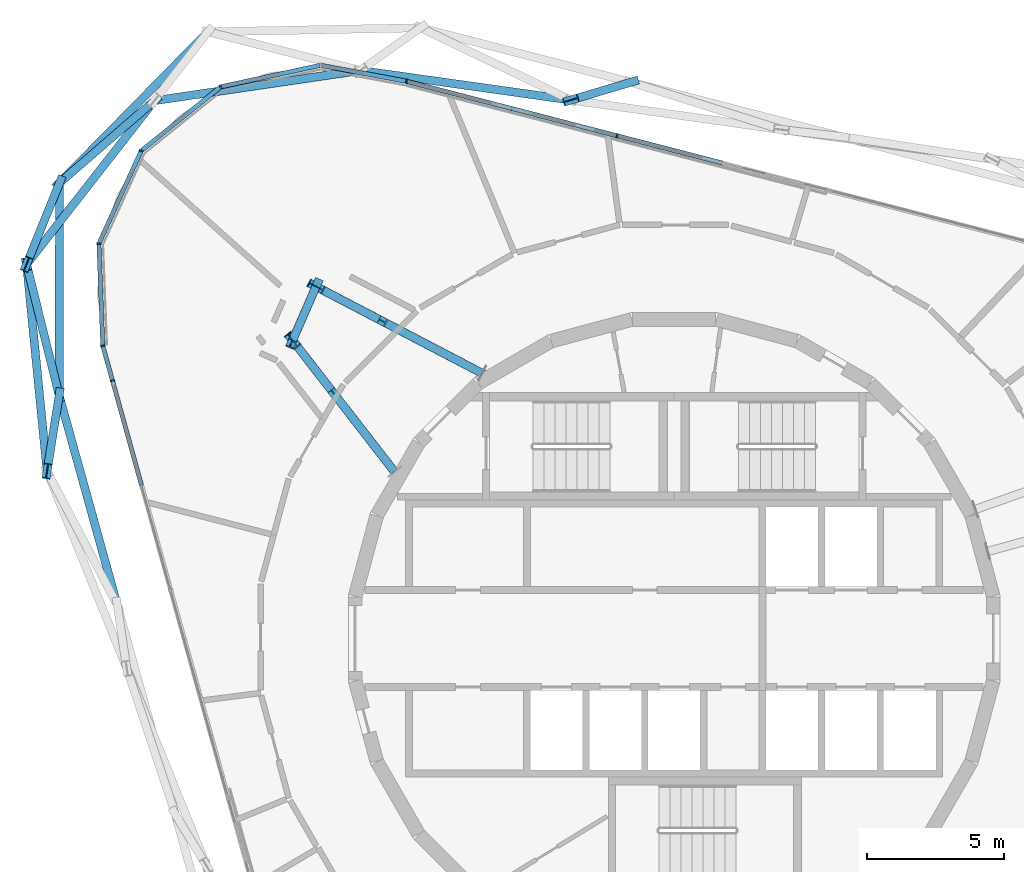
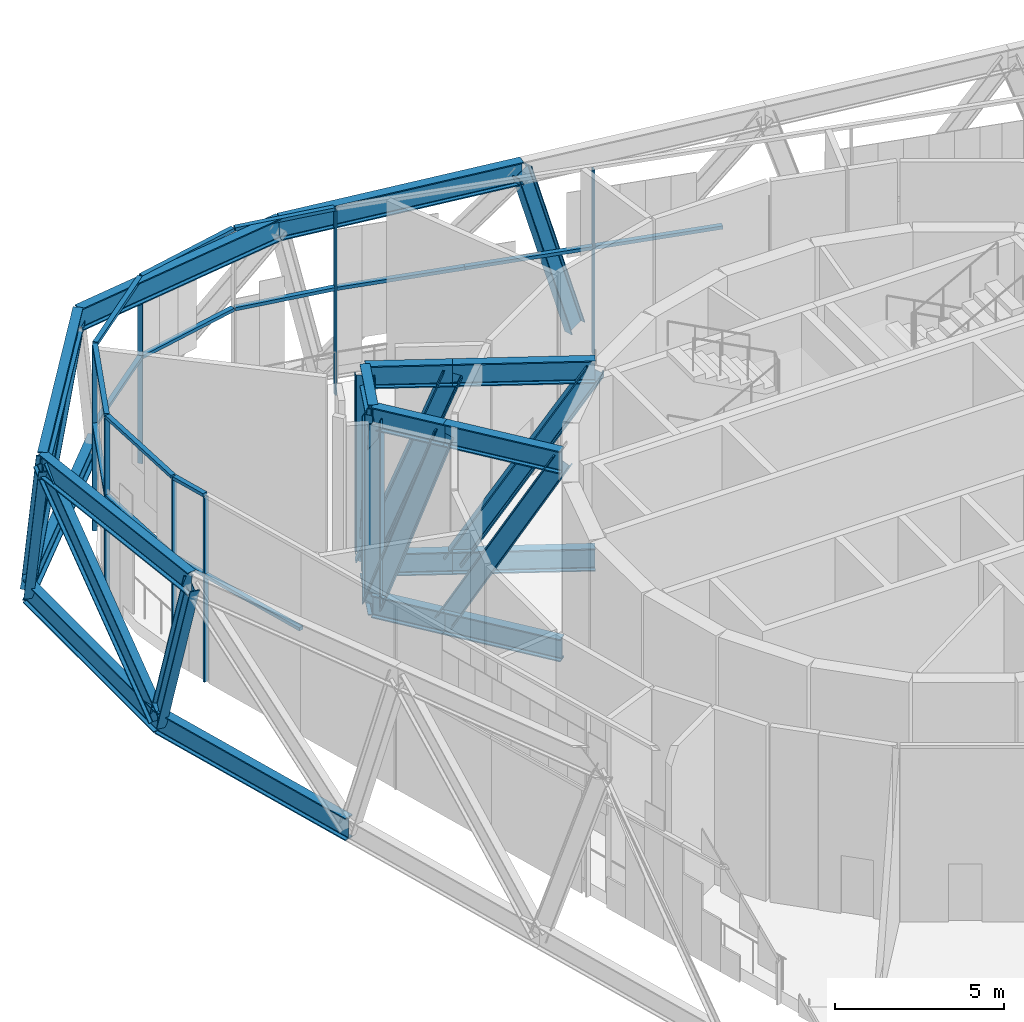
# One storey, part 5 of 23: 52 members, 3 elements without a shape of their own.
"""IFC4 building model written with IfcOpenShell, lengths in metres."""

from ifc_helpers import new_model, si_unit, direction, frame, origin, origin_2d, place, context, subcontext, project, spatial, rectangle, i_section, extrude, material, layer, layer_set, material_profile, profile_set, type_object, element, aggregate, save


model = new_model("IFC4")

# Units and contexts
model_context = context("Model", 3, precision=1e-05, world=origin(), true_north=direction((0.0, 1.0)))
body_context = subcontext(model_context, "Body", "Model", "MODEL_VIEW")
ifc_project = project(units=[si_unit("LENGTHUNIT", "METRE"), si_unit("AREAUNIT", "SQUARE_METRE"), si_unit("VOLUMEUNIT", "CUBIC_METRE"), si_unit("PLANEANGLEUNIT", "RADIAN"), si_unit("MASSUNIT", "GRAM", prefix="KILO")], contexts=[model_context])

# Site, building, storey
site_placement = place(None, origin())
site = spatial("IfcSite", under=ifc_project, at=site_placement, CompositionType="ELEMENT")
building_placement = place(site_placement, origin())
building = spatial("IfcBuilding", under=site, at=building_placement, Name="Spindle Arch Residences", CompositionType="ELEMENT")
storey_placement = place(building_placement, frame((0.0, 0.0, 326.199951171875)))
storey = spatial("IfcBuildingStorey", under=building, at=storey_placement, Name="L84", CompositionType="ELEMENT", Elevation=326.199951171875)

# Members
ifc_material_1 = material(Name="Steel S460ML, intumescent coating R 240", Category="steel")
ifc_material_profile_1 = material_profile(ifc_material_1, i_section(OverallWidth=0.302978515625, OverallDepth=0.81396484375, WebThickness=0.02099609375, FlangeThickness=0.0400390625, FilletRadius=0.030029296875, at=origin_2d()), Name="HEM 800")
ifc_profile_set_1 = profile_set([ifc_material_profile_1], Name="Steel S460ML, intumescent coating R 240")
member_type_1 = type_object("IfcMemberType", Name="Belt truss chord HEM 800", PredefinedType="CHORD", material=ifc_profile_set_1)
member_1_placement = place(storey_placement, frame((-17.0185546875, 22.144775390625, -0.85693359375), z_axis=(-0.700907435334, -0.71325224647, 0.0), x_axis=(0.71325224647, -0.700907435334, 0.0)))
element("IfcMember", 1, at=member_1_placement, inside=storey, type_object=member_type_1, Name="Belt truss bottom chord L84.10", PredefinedType="CHORD", context=body_context, shape_type="SweptSolid", body=[
    extrude(i_section(OverallWidth=0.302978515625, OverallDepth=0.81396484375, WebThickness=0.02099609375, FlangeThickness=0.0400390625, FilletRadius=0.030029296875, at=origin_2d()), origin(), (0.0, 0.0, 1.0), 7.732666015625),
])
member_2_placement = place(storey_placement, frame((-22.4384765625, 16.62939453125, -0.85693359375), z_axis=(-0.001699125957, -0.999998556484, 0.0), x_axis=(0.999998556484, -0.001699125957, 0.0)))
element("IfcMember", 2, at=member_2_placement, inside=storey, type_object=member_type_1, Name="Belt truss bottom chord L84.11", PredefinedType="CHORD", context=body_context, shape_type="SweptSolid", body=[
    extrude(i_section(OverallWidth=0.302978515625, OverallDepth=0.81396484375, WebThickness=0.02099609375, FlangeThickness=0.0400390625, FilletRadius=0.030029296875, at=origin_2d()), origin(), (0.0, 0.0, 1.0), 7.759033203125),
])
member_3_placement = place(storey_placement, frame((-22.45166015625, 8.870361328125, -0.85693359375), z_axis=(0.26724395521, -0.963628905961, 0.0), x_axis=(0.963628905961, 0.26724395521, 0.0)))
element("IfcMember", 3, at=member_3_placement, inside=storey, type_object=member_type_1, Name="Belt truss bottom chord L84.12", PredefinedType="CHORD", context=body_context, shape_type="SweptSolid", body=[
    extrude(i_section(OverallWidth=0.302978515625, OverallDepth=0.81396484375, WebThickness=0.02099609375, FlangeThickness=0.0400390625, FilletRadius=0.030029296875, at=origin_2d()), origin(), (0.0, 0.0, 1.0), 7.93505859375),
])
member_4_placement = place(storey_placement, frame((-3.772705078125, 19.65478515625, 5.943115234375), z_axis=(-0.990267008072, 0.13918064781, 0.0), x_axis=(-0.13918064781, -0.990267008072, 0.0)))
element("IfcMember", 4, at=member_4_placement, inside=storey, type_object=member_type_1, Name="Belt truss top chord L84.8", PredefinedType="CHORD", context=body_context, shape_type="SweptSolid", body=[
    extrude(i_section(OverallWidth=0.302978515625, OverallDepth=0.81396484375, WebThickness=0.02099609375, FlangeThickness=0.0400390625, FilletRadius=0.030029296875, at=origin_2d()), origin(), (0.0, 0.0, 1.0), 7.765625),
])
member_5_placement = place(storey_placement, frame((-11.462646484375, 20.735595703125, 5.943115234375), z_axis=(-0.98938430236, -0.14532275198, 0.0), x_axis=(0.14532275198, -0.98938430236, 0.0)))
element("IfcMember", 5, at=member_5_placement, inside=storey, type_object=member_type_1, Name="Belt truss top chord L84.9", PredefinedType="CHORD", context=body_context, shape_type="SweptSolid", body=[
    extrude(i_section(OverallWidth=0.302978515625, OverallDepth=0.81396484375, WebThickness=0.02099609375, FlangeThickness=0.0400390625, FilletRadius=0.030029296875, at=origin_2d()), origin(), (0.0, 0.0, 1.0), 7.593505859375),
])
member_6_placement = place(storey_placement, frame((-18.9755859375, 19.632080078125, 5.943115234375), z_axis=(-0.615661552584, -0.788010693246, 0.0), x_axis=(0.788010693246, -0.615661552584, 0.0)))
element("IfcMember", 6, at=member_6_placement, inside=storey, type_object=member_type_1, Name="Belt truss top chord L84.10", PredefinedType="CHORD", context=body_context, shape_type="SweptSolid", body=[
    extrude(i_section(OverallWidth=0.302978515625, OverallDepth=0.81396484375, WebThickness=0.02099609375, FlangeThickness=0.0400390625, FilletRadius=0.030029296875, at=origin_2d()), origin(), (0.0, 0.0, 1.0), 7.57568359375),
])
member_7_placement = place(storey_placement, frame((-23.6396484375, 13.662353515625, 5.943115234375), z_axis=(0.098383133603, -0.995148611526, 0.0), x_axis=(0.995148611526, 0.098383133603, 0.0)))
element("IfcMember", 7, at=member_7_placement, inside=storey, type_object=member_type_1, Name="Belt truss top chord L84.11", PredefinedType="CHORD", context=body_context, shape_type="SweptSolid", body=[
    extrude(i_section(OverallWidth=0.302978515625, OverallDepth=0.81396484375, WebThickness=0.02099609375, FlangeThickness=0.0400390625, FilletRadius=0.030029296875, at=origin_2d()), origin(), (0.0, 0.0, 1.0), 7.593505859375),
])
ifc_material_2 = material(Name="Steel S460ML, intumescent coating R 240", Category="steel")
ifc_material_profile_2 = material_profile(ifc_material_2, i_section(OverallWidth=0.300048828125, OverallDepth=0.60009765625, WebThickness=0.015380859375, FlangeThickness=0.030029296875, FilletRadius=0.027099609375, at=origin_2d()), Name="HEB 600")
ifc_profile_set_2 = profile_set([ifc_material_profile_2], Name="Steel S460ML, intumescent coating R 240")
member_type_2 = type_object("IfcMemberType", Name="Belt truss diagonal HEB 600", PredefinedType="BRACE", material=ifc_profile_set_2)
member_8_placement = place(storey_placement, frame((-1.57861328125, 20.306640625, -0.85693359375), z_axis=(-0.305799755689, -0.090851824601, 0.947751262403), x_axis=(0.284792800124, -0.958589099144, 0.0)))
element("IfcMember", 8, at=member_8_placement, inside=storey, type_object=member_type_2, Name="Belt truss diagonal L84.8.8", PredefinedType="BRACE", context=body_context, shape_type="SweptSolid", body=[
    extrude(i_section(OverallWidth=0.300048828125, OverallDepth=0.60009765625, WebThickness=0.015380859375, FlangeThickness=0.030029296875, FilletRadius=0.027099609375, at=origin_2d()), origin(), (0.0, 0.0, 1.0), 7.175048828125),
])
member_9_placement = place(storey_placement, frame((-22.4384765625, 16.62939453125, -0.85693359375), z_axis=(0.422277371382, 0.366158304471, 0.829222477798), x_axis=(-0.655119112275, 0.755525610904, 0.0)))
element("IfcMember", 9, at=member_9_placement, inside=storey, type_object=member_type_2, Name="Belt truss diagonal L84.10.11", PredefinedType="BRACE", context=body_context, shape_type="SweptSolid", body=[
    extrude(i_section(OverallWidth=0.300048828125, OverallDepth=0.60009765625, WebThickness=0.015380859375, FlangeThickness=0.030029296875, FilletRadius=0.027099609375, at=origin_2d()), origin(), (0.0, 0.0, 1.0), 8.200439453125),
])
member_10_placement = place(storey_placement, frame((-22.4384765625, 16.62939453125, -0.85693359375), z_axis=(-0.159820184932, -0.394775347049, 0.904770652625), x_axis=(0.926922180095, -0.375253610307, 0.0)))
element("IfcMember", 10, at=member_10_placement, inside=storey, type_object=member_type_2, Name="Belt truss diagonal L84.11.11", PredefinedType="BRACE", context=body_context, shape_type="SweptSolid", body=[
    extrude(i_section(OverallWidth=0.300048828125, OverallDepth=0.60009765625, WebThickness=0.015380859375, FlangeThickness=0.030029296875, FilletRadius=0.027099609375, at=origin_2d()), origin(), (0.0, 0.0, 1.0), 7.515869140625),
])
member_11_placement = place(storey_placement, frame((-22.45166015625, 8.870361328125, -0.85693359375), z_axis=(-0.141371919307, 0.570252369945, 0.80921333096), x_axis=(-0.970617676957, -0.240626941923, 0.0)))
element("IfcMember", 11, at=member_11_placement, inside=storey, type_object=member_type_2, Name="Belt truss diagonal L84.11.12", PredefinedType="BRACE", context=body_context, shape_type="SweptSolid", body=[
    extrude(i_section(OverallWidth=0.300048828125, OverallDepth=0.60009765625, WebThickness=0.015380859375, FlangeThickness=0.030029296875, FilletRadius=0.027099609375, at=origin_2d()), origin(), (0.0, 0.0, 1.0), 8.4033203125),
])
member_12_placement = place(storey_placement, frame((-22.45166015625, 8.870361328125, -0.85693359375), z_axis=(-0.05995785217, -0.375948348822, 0.924698813118), x_axis=(0.987519958327, -0.157493910697, 0.0)))
element("IfcMember", 12, at=member_12_placement, inside=storey, type_object=member_type_2, Name="Belt truss diagonal L84.12.12", PredefinedType="BRACE", context=body_context, shape_type="SweptSolid", body=[
    extrude(i_section(OverallWidth=0.300048828125, OverallDepth=0.60009765625, WebThickness=0.015380859375, FlangeThickness=0.030029296875, FilletRadius=0.027099609375, at=origin_2d()), origin(), (0.0, 0.0, 1.0), 7.353759765625),
])

# Curtain wall, member
ifc_material_3 = material(Name="Aluminium bronze unitised frame with tinted glass", Category="aluminium")
ifc_layer = layer(ifc_material_3, 0.159912109375)
ifc_layer_set = layer_set([ifc_layer], Name="CW-E double-height winter garden wall")
curtain_wall_type = type_object("IfcCurtainWallType", Name="CW-E double-height winter garden wall", PredefinedType="NOTDEFINED", material=ifc_layer_set)
curtain_wall_1_placement = place(storey_placement, origin())
curtain_wall_1 = element("IfcCurtainWall", 13, at=curtain_wall_1_placement, inside=storey, type_object=curtain_wall_type, Name="CW-E L84 run 2", PredefinedType="NOTDEFINED")
ifc_material_4 = material(Name="Aluminium bronze anodised mullion", Category="aluminium")
ifc_material_profile_3 = material_profile(ifc_material_4, rectangle(XDim=0.159912109375, YDim=0.06005859375, at=origin_2d()), Name="MU 60x160")
ifc_profile_set_3 = profile_set([ifc_material_profile_3], Name="Aluminium bronze anodised mullion")
member_type_3 = type_object("IfcMemberType", Name="Bronze mullion 60x160", PredefinedType="MULLION", material=ifc_profile_set_3)
member_13_placement = place(storey_placement, frame((-2.084228515625, 18.35107421875, -0.449951171875), z_axis=(0.0, 0.0, 1.0), x_axis=(-0.250380004054, -0.968147640378, 0.0)))
member_13 = element("IfcMember", 14, at=member_13_placement, type_object=member_type_3, Name="CW-E mullion 07", PredefinedType="MULLION", context=body_context, shape_type="SweptSolid", body=[
    extrude(rectangle(XDim=0.159912109375, YDim=0.06005859375, at=origin_2d()), origin(), (0.0, 0.0, 1.0), 6.679931640625),
])

# Curtain wall, members
curtain_wall_2_placement = place(storey_placement, origin())
curtain_wall_2 = element("IfcCurtainWall", 15, at=curtain_wall_2_placement, inside=storey, type_object=curtain_wall_type, Name="CW-E L84 run 3", PredefinedType="NOTDEFINED")
member_14_placement = place(storey_placement, frame((-9.7666015625, 20.337890625, -0.449951171875), z_axis=(0.0, 0.0, 1.0), x_axis=(-0.183837217301, -0.98295670176, 0.0)))
member_14 = element("IfcMember", 16, at=member_14_placement, type_object=member_type_3, Name="CW-E mullion 00", PredefinedType="MULLION", context=body_context, shape_type="SweptSolid", body=[
    extrude(rectangle(XDim=0.159912109375, YDim=0.06005859375, at=origin_2d()), origin(), (0.0, 0.0, 1.0), 6.679931640625),
])
member_15_placement = place(storey_placement, frame((-16.5517578125, 20.14013671875, -0.449951171875), z_axis=(0.0, 0.0, 1.0), x_axis=(0.627057107401, -0.778973288411, 0.0)))
member_15 = element("IfcMember", 17, at=member_15_placement, type_object=member_type_3, Name="CW-E mullion 02", PredefinedType="MULLION", context=body_context, shape_type="SweptSolid", body=[
    extrude(rectangle(XDim=0.159912109375, YDim=0.06005859375, at=origin_2d()), origin(), (0.0, 0.0, 1.0), 6.679931640625),
])
member_16_placement = place(storey_placement, frame((-19.454833984375, 17.80322265625, -0.449951171875), z_axis=(0.0, 0.0, 1.0), x_axis=(0.9099612694, -0.414693245896, 0.0)))
member_16 = element("IfcMember", 18, at=member_16_placement, type_object=member_type_3, Name="CW-E mullion 03", PredefinedType="MULLION", context=body_context, shape_type="SweptSolid", body=[
    extrude(rectangle(XDim=0.159912109375, YDim=0.06005859375, at=origin_2d()), origin(), (0.0, 0.0, 1.0), 6.679931640625),
])
member_17_placement = place(storey_placement, frame((-21.00048828125, 14.411865234375, -0.449951171875), z_axis=(0.0, 0.0, 1.0), x_axis=(0.999285080405, 0.037806455536, 0.0)))
member_17 = element("IfcMember", 19, at=member_17_placement, type_object=member_type_3, Name="CW-E mullion 04", PredefinedType="MULLION", context=body_context, shape_type="SweptSolid", body=[
    extrude(rectangle(XDim=0.159912109375, YDim=0.06005859375, at=origin_2d()), origin(), (0.0, 0.0, 1.0), 6.679931640625),
])
member_18_placement = place(storey_placement, frame((-20.859375, 10.687744140625, -0.449951171875), z_axis=(0.0, 0.0, 1.0), x_axis=(0.963630453209, 0.267238376078, 0.0)))
member_18 = element("IfcMember", 20, at=member_18_placement, type_object=member_type_3, Name="CW-E mullion 05", PredefinedType="MULLION", context=body_context, shape_type="SweptSolid", body=[
    extrude(rectangle(XDim=0.159912109375, YDim=0.06005859375, at=origin_2d()), origin(), (0.0, 0.0, 1.0), 6.679931640625),
])

# Curtain wall, member
curtain_wall_3_placement = place(storey_placement, origin())
curtain_wall_3 = element("IfcCurtainWall", 21, at=curtain_wall_3_placement, inside=storey, type_object=curtain_wall_type, Name="CW-E L84 run 4", PredefinedType="NOTDEFINED")
member_19_placement = place(storey_placement, frame((-20.505126953125, 9.41015625, -0.449951171875), z_axis=(0.0, 0.0, 1.0), x_axis=(0.963630453209, 0.267238376078, 0.0)))
member_19 = element("IfcMember", 22, at=member_19_placement, type_object=member_type_3, Name="CW-E mullion 11", PredefinedType="MULLION", context=body_context, shape_type="SweptSolid", body=[
    extrude(rectangle(XDim=0.159912109375, YDim=0.06005859375, at=origin_2d()), origin(), (0.0, 0.0, 1.0), 6.679931640625),
])

# Member
ifc_material_5 = material(Name="Aluminium bronze anodised transom", Category="aluminium")
ifc_material_profile_4 = material_profile(ifc_material_5, rectangle(XDim=0.159912109375, YDim=0.1201171875, at=origin_2d()), Name="TR 120x160")
ifc_profile_set_4 = profile_set([ifc_material_profile_4], Name="Aluminium bronze anodised transom")
member_type_4 = type_object("IfcMemberType", Name="Bronze transom 120x160", PredefinedType="USERDEFINED", material=ifc_profile_set_4)
member_20_placement = place(storey_placement, frame((1.7568359375, 17.357666015625, 3.400146484375), z_axis=(-0.968148466473, 0.250376809762, 0.0), x_axis=(-0.250376809762, -0.968148466473, 0.0)))
member_20 = element("IfcMember", 23, at=member_20_placement, type_object=member_type_4, Name="CW-E transom 06Bm", ObjectType="TRANSOM", PredefinedType="USERDEFINED", context=body_context, shape_type="SweptSolid", body=[
    extrude(rectangle(XDim=0.159912109375, YDim=0.1201171875, at=origin_2d()), origin(), (0.0, 0.0, 1.0), 3.9375),
])

member_21_placement = place(storey_placement, frame((-2.11328125, 18.3583984375, 3.400146484375), z_axis=(-0.968133434793, 0.250434926549, 0.0), x_axis=(-0.250434926549, -0.968133434793, 0.0)))
member_21 = element("IfcMember", 24, at=member_21_placement, type_object=member_type_4, Name="CW-E transom 07Am", ObjectType="TRANSOM", PredefinedType="USERDEFINED", context=body_context, shape_type="SweptSolid", body=[
    extrude(rectangle(XDim=0.159912109375, YDim=0.1201171875, at=origin_2d()), origin(), (0.0, 0.0, 1.0), 3.9375),
])

member_22_placement = place(storey_placement, frame((-5.92529296875, 19.344482421875, 3.400146484375), z_axis=(-0.968152353136, 0.250361780465, 0.0), x_axis=(-0.250361780465, -0.968152353136, 0.0)))
member_22 = element("IfcMember", 25, at=member_22_placement, type_object=member_type_4, Name="CW-E transom 07Bm", ObjectType="TRANSOM", PredefinedType="USERDEFINED", context=body_context, shape_type="SweptSolid", body=[
    extrude(rectangle(XDim=0.159912109375, YDim=0.1201171875, at=origin_2d()), origin(), (0.0, 0.0, 1.0), 3.937744140625),
])

aggregate(curtain_wall_1, [member_20, member_13, member_21, member_22])

member_23_placement = place(storey_placement, frame((-9.796142578125, 20.34326171875, 6.2900390625), z_axis=(-0.982955792974, 0.183842076412, 0.0), x_axis=(-0.183842076412, -0.982955792974, 0.0)))
member_23 = element("IfcMember", 26, at=member_23_placement, type_object=member_type_4, Name="CW-E transom 00", ObjectType="TRANSOM", PredefinedType="USERDEFINED", context=body_context, shape_type="SweptSolid", body=[
    extrude(rectangle(XDim=0.159912109375, YDim=0.1201171875, at=origin_2d()), origin(), (0.0, 0.0, 1.0), 3.13671875),
])

member_24_placement = place(storey_placement, frame((-9.796142578125, 20.34326171875, 3.400146484375), z_axis=(-0.982955792974, 0.183842076412, 0.0), x_axis=(-0.183842076412, -0.982955792974, 0.0)))
member_24 = element("IfcMember", 27, at=member_24_placement, type_object=member_type_4, Name="CW-E transom 00m", ObjectType="TRANSOM", PredefinedType="USERDEFINED", context=body_context, shape_type="SweptSolid", body=[
    extrude(rectangle(XDim=0.159912109375, YDim=0.1201171875, at=origin_2d()), origin(), (0.0, 0.0, 1.0), 3.13671875),
])

member_25_placement = place(storey_placement, frame((-12.938232421875, 20.919189453125, 6.2900390625), z_axis=(-0.977527770532, -0.210806683571, 0.0), x_axis=(0.210806683571, -0.977527770532, 0.0)))
member_25 = element("IfcMember", 28, at=member_25_placement, type_object=member_type_4, Name="CW-E transom 01", ObjectType="TRANSOM", PredefinedType="USERDEFINED", context=body_context, shape_type="SweptSolid", body=[
    extrude(rectangle(XDim=0.159912109375, YDim=0.1201171875, at=origin_2d()), origin(), (0.0, 0.0, 1.0), 3.66650390625),
])

member_26_placement = place(storey_placement, frame((-12.938232421875, 20.919189453125, 3.400146484375), z_axis=(-0.977527770532, -0.210806683571, 0.0), x_axis=(0.210806683571, -0.977527770532, 0.0)))
member_26 = element("IfcMember", 29, at=member_26_placement, type_object=member_type_4, Name="CW-E transom 01m", ObjectType="TRANSOM", PredefinedType="USERDEFINED", context=body_context, shape_type="SweptSolid", body=[
    extrude(rectangle(XDim=0.159912109375, YDim=0.1201171875, at=origin_2d()), origin(), (0.0, 0.0, 1.0), 3.66650390625),
])

member_27_placement = place(storey_placement, frame((-16.5751953125, 20.121337890625, 6.2900390625), z_axis=(-0.778981543265, -0.627046852518, 0.0), x_axis=(0.627046852518, -0.778981543265, 0.0)))
member_27 = element("IfcMember", 30, at=member_27_placement, type_object=member_type_4, Name="CW-E transom 02", ObjectType="TRANSOM", PredefinedType="USERDEFINED", context=body_context, shape_type="SweptSolid", body=[
    extrude(rectangle(XDim=0.159912109375, YDim=0.1201171875, at=origin_2d()), origin(), (0.0, 0.0, 1.0), 3.6669921875),
])

member_28_placement = place(storey_placement, frame((-16.5751953125, 20.121337890625, 3.400146484375), z_axis=(-0.778981543265, -0.627046852518, 0.0), x_axis=(0.627046852518, -0.778981543265, 0.0)))
member_28 = element("IfcMember", 31, at=member_28_placement, type_object=member_type_4, Name="CW-E transom 02m", ObjectType="TRANSOM", PredefinedType="USERDEFINED", context=body_context, shape_type="SweptSolid", body=[
    extrude(rectangle(XDim=0.159912109375, YDim=0.1201171875, at=origin_2d()), origin(), (0.0, 0.0, 1.0), 3.6669921875),
])

member_29_placement = place(storey_placement, frame((-19.46728515625, 17.77587890625, 6.2900390625), z_axis=(-0.414725728642, -0.90994646546, 0.0), x_axis=(0.90994646546, -0.414725728642, 0.0)))
member_29 = element("IfcMember", 32, at=member_29_placement, type_object=member_type_4, Name="CW-E transom 03", ObjectType="TRANSOM", PredefinedType="USERDEFINED", context=body_context, shape_type="SweptSolid", body=[
    extrude(rectangle(XDim=0.159912109375, YDim=0.1201171875, at=origin_2d()), origin(), (0.0, 0.0, 1.0), 3.6669921875),
])

member_30_placement = place(storey_placement, frame((-19.46728515625, 17.77587890625, 3.400146484375), z_axis=(-0.414725728642, -0.90994646546, 0.0), x_axis=(0.90994646546, -0.414725728642, 0.0)))
member_30 = element("IfcMember", 33, at=member_30_placement, type_object=member_type_4, Name="CW-E transom 03m", ObjectType="TRANSOM", PredefinedType="USERDEFINED", context=body_context, shape_type="SweptSolid", body=[
    extrude(rectangle(XDim=0.159912109375, YDim=0.1201171875, at=origin_2d()), origin(), (0.0, 0.0, 1.0), 3.6669921875),
])

member_31_placement = place(storey_placement, frame((-20.999267578125, 14.382080078125, 6.2900390625), z_axis=(0.03781688996, -0.99928468558, 0.0), x_axis=(0.99928468558, 0.03781688996, 0.0)))
member_31 = element("IfcMember", 34, at=member_31_placement, type_object=member_type_4, Name="CW-E transom 04", ObjectType="TRANSOM", PredefinedType="USERDEFINED", context=body_context, shape_type="SweptSolid", body=[
    extrude(rectangle(XDim=0.159912109375, YDim=0.1201171875, at=origin_2d()), origin(), (0.0, 0.0, 1.0), 3.6669921875),
])

member_32_placement = place(storey_placement, frame((-20.999267578125, 14.382080078125, 3.400146484375), z_axis=(0.03781688996, -0.99928468558, 0.0), x_axis=(0.99928468558, 0.03781688996, 0.0)))
member_32 = element("IfcMember", 35, at=member_32_placement, type_object=member_type_4, Name="CW-E transom 04m", ObjectType="TRANSOM", PredefinedType="USERDEFINED", context=body_context, shape_type="SweptSolid", body=[
    extrude(rectangle(XDim=0.159912109375, YDim=0.1201171875, at=origin_2d()), origin(), (0.0, 0.0, 1.0), 3.6669921875),
])

member_33_placement = place(storey_placement, frame((-20.8515625, 10.658935546875, 6.2900390625), z_axis=(0.267275846412, -0.963620060981, 0.0), x_axis=(0.963620060981, 0.267275846412, 0.0)))
member_33 = element("IfcMember", 36, at=member_33_placement, type_object=member_type_4, Name="CW-E transom 05", ObjectType="TRANSOM", PredefinedType="USERDEFINED", context=body_context, shape_type="SweptSolid", body=[
    extrude(rectangle(XDim=0.159912109375, YDim=0.1201171875, at=origin_2d()), origin(), (0.0, 0.0, 1.0), 1.26611328125),
])

member_34_placement = place(storey_placement, frame((-20.8515625, 10.658935546875, 3.400146484375), z_axis=(0.267275846412, -0.963620060981, 0.0), x_axis=(0.963620060981, 0.267275846412, 0.0)))
member_34 = element("IfcMember", 37, at=member_34_placement, type_object=member_type_4, Name="CW-E transom 05m", ObjectType="TRANSOM", PredefinedType="USERDEFINED", context=body_context, shape_type="SweptSolid", body=[
    extrude(rectangle(XDim=0.159912109375, YDim=0.1201171875, at=origin_2d()), origin(), (0.0, 0.0, 1.0), 1.26611328125),
])

aggregate(curtain_wall_2, [member_14, member_23, member_24, member_25, member_26, member_15, member_27, member_28, member_16, member_29, member_30, member_17, member_31, member_32, member_18, member_33, member_34])

member_35_placement = place(storey_placement, frame((-20.4970703125, 9.38134765625, 3.400146484375), z_axis=(0.26722812423, -0.963633296239, 0.0), x_axis=(0.963633296239, 0.26722812423, 0.0)))
member_35 = element("IfcMember", 38, at=member_35_placement, type_object=member_type_4, Name="CW-E transom 11Am", ObjectType="TRANSOM", PredefinedType="USERDEFINED", context=body_context, shape_type="SweptSolid", body=[
    extrude(rectangle(XDim=0.159912109375, YDim=0.1201171875, at=origin_2d()), origin(), (0.0, 0.0, 1.0), 3.937744140625),
])

aggregate(curtain_wall_3, [member_19, member_35])

# Members
ifc_material_6 = material(Name="Steel S460ML, intumescent coating R 240", Category="steel")
ifc_material_profile_5 = material_profile(ifc_material_6, i_section(OverallWidth=0.302978515625, OverallDepth=0.81396484375, WebThickness=0.02099609375, FlangeThickness=0.0400390625, FilletRadius=0.030029296875, at=origin_2d()), Name="HEM 800")
ifc_profile_set_5 = profile_set([ifc_material_profile_5], Name="Steel S460ML, intumescent coating R 240")
member_type_5 = type_object("IfcMemberType", Name="Transfer truss chord HEM 800", PredefinedType="CHORD", material=ifc_profile_set_5)
for number, where, z_axis, x_axis, name in (
    (39, (-7.019287109375, 9.68505859375, -0.85693359375), (-0.886377098571, 0.46296397174, 0.0), (-0.46296397174, -0.886377098571, 0.0), "Transfer truss chord L84"),
    (40, (-7.019287109375, 9.68505859375, 5.943115234375), (-0.886377098571, 0.46296397174, 0.0), (-0.46296397174, -0.886377098571, 0.0), "Transfer truss chord L84"),
):
    element("IfcMember", number, at=place(storey_placement, frame(where, z_axis=z_axis, x_axis=x_axis)), inside=storey, type_object=member_type_5, Name=name, PredefinedType="CHORD", context=body_context, shape_type="SweptSolid", body=[
        extrude(i_section(OverallWidth=0.302978515625, OverallDepth=0.81396484375, WebThickness=0.02099609375, FlangeThickness=0.0400390625, FilletRadius=0.030029296875, at=origin_2d()), origin(), (0.0, 0.0, 1.0), 4.234619140625),
    ])
for number, where, z_axis, x_axis, name in (
    (41, (-10.772705078125, 11.6455078125, -0.85693359375), (-0.886366708873, 0.462983863003, 0.0), (-0.462983863003, -0.886366708873, 0.0), "Transfer truss chord L84"),
    (42, (-10.772705078125, 11.6455078125, 5.943115234375), (-0.886366708873, 0.462983863003, 0.0), (-0.462983863003, -0.886366708873, 0.0), "Transfer truss chord L84"),
):
    element("IfcMember", number, at=place(storey_placement, frame(where, z_axis=z_axis, x_axis=x_axis)), inside=storey, type_object=member_type_5, Name=name, PredefinedType="CHORD", context=body_context, shape_type="SweptSolid", body=[
        extrude(i_section(OverallWidth=0.302978515625, OverallDepth=0.81396484375, WebThickness=0.02099609375, FlangeThickness=0.0400390625, FilletRadius=0.030029296875, at=origin_2d()), origin(), (0.0, 0.0, 1.0), 2.595458984375),
    ])
for number, where, z_axis, x_axis, name in (
    (43, (-13.0732421875, 12.84716796875, -0.85693359375), (-0.399605061768, -0.916687402886, 0.0), (0.916687402886, -0.399605061768, 0.0), "Transfer truss chord L84"),
    (44, (-13.0732421875, 12.84716796875, 5.943115234375), (-0.399605061768, -0.916687402886, 0.0), (0.916687402886, -0.399605061768, 0.0), "Transfer truss chord L84"),
):
    element("IfcMember", number, at=place(storey_placement, frame(where, z_axis=z_axis, x_axis=x_axis)), inside=storey, type_object=member_type_5, Name=name, PredefinedType="CHORD", context=body_context, shape_type="SweptSolid", body=[
        extrude(i_section(OverallWidth=0.302978515625, OverallDepth=0.81396484375, WebThickness=0.02099609375, FlangeThickness=0.0400390625, FilletRadius=0.030029296875, at=origin_2d()), origin(), (0.0, 0.0, 1.0), 2.142578125),
    ])
for number, where, z_axis, x_axis, name in (
    (45, (-10.217529296875, 6.097412109375, -0.85693359375), (-0.612873233855, 0.790181244541, 0.0), (-0.790181244541, -0.612873233855, 0.0), "Transfer truss chord L84"),
    (46, (-10.217529296875, 6.097412109375, 5.943115234375), (-0.612873233855, 0.790181244541, 0.0), (-0.790181244541, -0.612873233855, 0.0), "Transfer truss chord L84"),
):
    element("IfcMember", number, at=place(storey_placement, frame(where, z_axis=z_axis, x_axis=x_axis)), inside=storey, type_object=member_type_5, Name=name, PredefinedType="CHORD", context=body_context, shape_type="SweptSolid", body=[
        extrude(i_section(OverallWidth=0.302978515625, OverallDepth=0.81396484375, WebThickness=0.02099609375, FlangeThickness=0.0400390625, FilletRadius=0.030029296875, at=origin_2d()), origin(), (0.0, 0.0, 1.0), 3.7548828125),
    ])
for number, where, z_axis, x_axis, name in (
    (47, (-12.518798828125, 9.064453125, -0.85693359375), (-0.612904624562, 0.790156896566, 0.0), (-0.790156896566, -0.612904624562, 0.0), "Transfer truss chord L84"),
    (48, (-12.518798828125, 9.064453125, 5.943115234375), (-0.612904624562, 0.790156896566, 0.0), (-0.790156896566, -0.612904624562, 0.0), "Transfer truss chord L84"),
):
    element("IfcMember", number, at=place(storey_placement, frame(where, z_axis=z_axis, x_axis=x_axis)), inside=storey, type_object=member_type_5, Name=name, PredefinedType="CHORD", context=body_context, shape_type="SweptSolid", body=[
        extrude(i_section(OverallWidth=0.302978515625, OverallDepth=0.81396484375, WebThickness=0.02099609375, FlangeThickness=0.0400390625, FilletRadius=0.030029296875, at=origin_2d()), origin(), (0.0, 0.0, 1.0), 2.301513671875),
    ])
ifc_material_7 = material(Name="Steel S460ML, intumescent coating R 240", Category="steel")
ifc_material_profile_6 = material_profile(ifc_material_7, i_section(OverallWidth=0.304931640625, OverallDepth=0.6201171875, WebThickness=0.02099609375, FlangeThickness=0.0400390625, FilletRadius=0.027099609375, at=origin_2d()), Name="HEM 600")
ifc_profile_set_6 = profile_set([ifc_material_profile_6], Name="Steel S460ML, intumescent coating R 240")
member_type_6 = type_object("IfcMemberType", Name="Transfer truss diagonal HEM 600", PredefinedType="BRACE", material=ifc_profile_set_6)
member_36_placement = place(storey_placement, frame((-10.772705078125, 11.6455078125, -0.85693359375), z_axis=(0.468547430441, -0.244727193082, 0.848865069603), x_axis=(0.46296397174, 0.886377098571, 0.0)))
element("IfcMember", 49, at=member_36_placement, inside=storey, type_object=member_type_6, Name="Transfer truss diagonal L84", PredefinedType="BRACE", context=body_context, shape_type="SweptSolid", body=[
    extrude(i_section(OverallWidth=0.304931640625, OverallDepth=0.6201171875, WebThickness=0.02099609375, FlangeThickness=0.0400390625, FilletRadius=0.027099609375, at=origin_2d()), origin(), (0.0, 0.0, 1.0), 8.0107421875),
])
member_37_placement = place(storey_placement, frame((-13.0732421875, 12.84716796875, -0.85693359375), z_axis=(0.316071299261, -0.165096353068, 0.934260203577), x_axis=(0.462983863003, 0.886366708873, 0.0)))
element("IfcMember", 50, at=member_37_placement, inside=storey, type_object=member_type_6, Name="Transfer truss diagonal L84", PredefinedType="BRACE", context=body_context, shape_type="SweptSolid", body=[
    extrude(i_section(OverallWidth=0.304931640625, OverallDepth=0.6201171875, WebThickness=0.02099609375, FlangeThickness=0.0400390625, FilletRadius=0.027099609375, at=origin_2d()), origin(), (0.0, 0.0, 1.0), 7.278564453125),
])
member_38_placement = place(storey_placement, frame((-13.0732421875, 12.84716796875, -0.85693359375), z_axis=(-0.12009072034, -0.275486126357, 0.953774403658), x_axis=(0.916687402886, -0.399605061768, 0.0)))
element("IfcMember", 51, at=member_38_placement, inside=storey, type_object=member_type_6, Name="Transfer truss diagonal L84", PredefinedType="BRACE", context=body_context, shape_type="SweptSolid", body=[
    extrude(i_section(OverallWidth=0.304931640625, OverallDepth=0.6201171875, WebThickness=0.02099609375, FlangeThickness=0.0400390625, FilletRadius=0.027099609375, at=origin_2d()), origin(), (0.0, 0.0, 1.0), 7.129638671875),
])
member_39_placement = place(storey_placement, frame((-12.518798828125, 9.064453125, -0.85693359375), z_axis=(0.296254815163, -0.381963162389, 0.875406892291), x_axis=(0.790181244541, 0.612873233855, 0.0)))
element("IfcMember", 52, at=member_39_placement, inside=storey, type_object=member_type_6, Name="Transfer truss diagonal L84", PredefinedType="BRACE", context=body_context, shape_type="SweptSolid", body=[
    extrude(i_section(OverallWidth=0.304931640625, OverallDepth=0.6201171875, WebThickness=0.02099609375, FlangeThickness=0.0400390625, FilletRadius=0.027099609375, at=origin_2d()), origin(), (0.0, 0.0, 1.0), 7.767822265625),
])
member_40_placement = place(storey_placement, frame((-13.929443359375, 10.883056640625, -0.85693359375), z_axis=(0.196496232049, -0.253323023976, 0.947215221749), x_axis=(0.790156896566, 0.612904624562, 0.0)))
element("IfcMember", 53, at=member_40_placement, inside=storey, type_object=member_type_6, Name="Transfer truss diagonal L84", PredefinedType="BRACE", context=body_context, shape_type="SweptSolid", body=[
    extrude(i_section(OverallWidth=0.304931640625, OverallDepth=0.6201171875, WebThickness=0.02099609375, FlangeThickness=0.0400390625, FilletRadius=0.027099609375, at=origin_2d()), origin(), (0.0, 0.0, 1.0), 7.178955078125),
])
ifc_material_8 = material(Name="Steel S460ML, intumescent coating R 240", Category="steel")
ifc_material_profile_7 = material_profile(ifc_material_8, i_section(OverallWidth=0.300048828125, OverallDepth=0.60009765625, WebThickness=0.015380859375, FlangeThickness=0.030029296875, FilletRadius=0.027099609375, at=origin_2d()), Name="HEB 600")
ifc_profile_set_7 = profile_set([ifc_material_profile_7], Name="Steel S460ML, intumescent coating R 240")
member_type_7 = type_object("IfcMemberType", Name="Transfer truss post HEB 600", PredefinedType="POST", material=ifc_profile_set_7)
member_41_placement = place(storey_placement, frame((-13.0732421875, 12.84716796875, -0.449951171875), z_axis=(0.0, 0.0, 1.0), x_axis=(0.462959718515, 0.886379320061, 0.0)))
element("IfcMember", 54, at=member_41_placement, inside=storey, type_object=member_type_7, Name="Transfer truss post L84", PredefinedType="POST", context=body_context, shape_type="SweptSolid", body=[
    extrude(i_section(OverallWidth=0.300048828125, OverallDepth=0.60009765625, WebThickness=0.015380859375, FlangeThickness=0.030029296875, FilletRadius=0.027099609375, at=origin_2d()), origin(), (0.0, 0.0, 1.0), 6.39306640625),
])
member_42_placement = place(storey_placement, frame((-13.929443359375, 10.883056640625, -0.85693359375), z_axis=(0.0, 0.0, 1.0), x_axis=(0.790153201938, 0.612909387648, 0.0)))
element("IfcMember", 55, at=member_42_placement, inside=storey, type_object=member_type_7, Name="Transfer truss post L84", PredefinedType="POST", context=body_context, shape_type="SweptSolid", body=[
    extrude(i_section(OverallWidth=0.300048828125, OverallDepth=0.60009765625, WebThickness=0.015380859375, FlangeThickness=0.030029296875, FilletRadius=0.027099609375, at=origin_2d()), origin(), (0.0, 0.0, 1.0), 6.800048828125),
])

save(model, "model.ifc")
